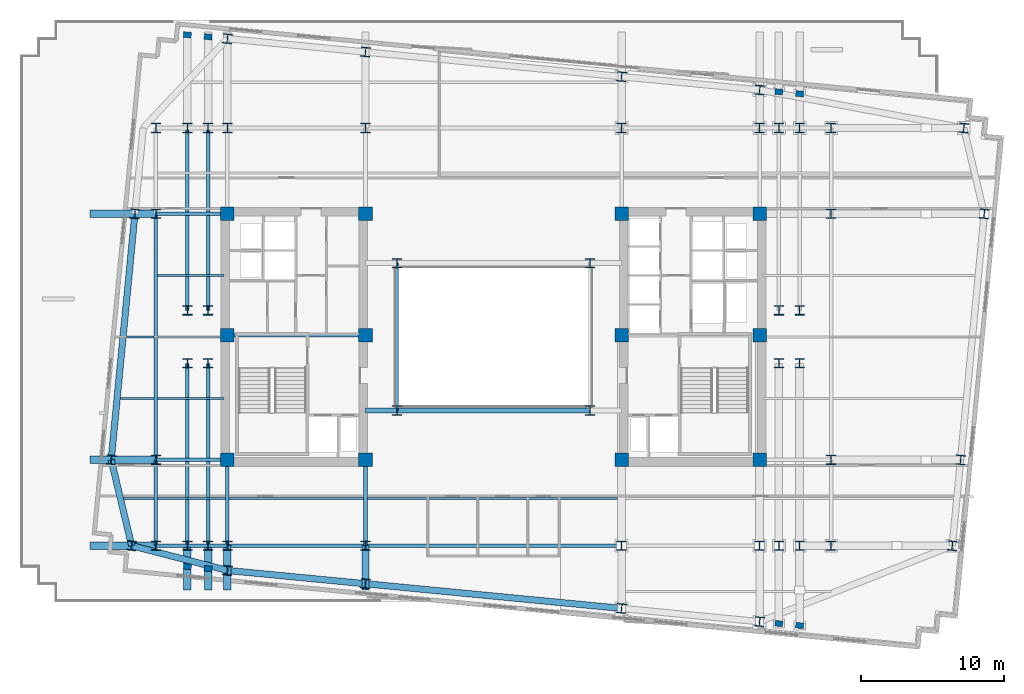
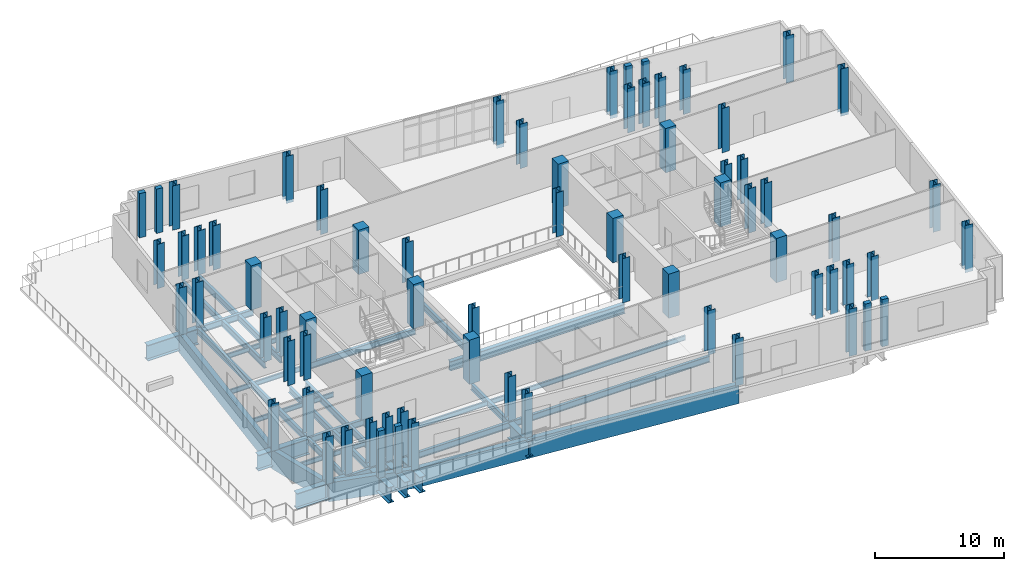
# One storey, part 1 of 11: 71 columns, 38 beams.
"""IFC4 building model written with IfcOpenShell, lengths in metres."""

from ifc_helpers import new_model, si_unit, direction, frame, origin, origin_2d, place, context, subcontext, project, spatial, rectangle, i_section, extrude, material, material_profile, profile_set, type_object, element, save


model = new_model("IFC4")

# Units and contexts
model_context = context("Model", 3, precision=1e-05, world=origin(), true_north=direction((0.0, 1.0)))
body_context = subcontext(model_context, "Body", "Model", "MODEL_VIEW")
ifc_project = project(units=[si_unit("LENGTHUNIT", "METRE"), si_unit("AREAUNIT", "SQUARE_METRE"), si_unit("VOLUMEUNIT", "CUBIC_METRE"), si_unit("PLANEANGLEUNIT", "RADIAN"), si_unit("MASSUNIT", "GRAM", prefix="KILO")], contexts=[model_context])

# Site, building, storey
site_placement = place(None, origin())
site = spatial("IfcSite", under=ifc_project, at=site_placement, CompositionType="ELEMENT")
building_placement = place(site_placement, origin())
building = spatial("IfcBuilding", under=site, at=building_placement, Name="Velakula Bourse", CompositionType="ELEMENT")
storey_placement = place(building_placement, frame((0.0, 0.0, 156.199951171875)))
storey = spatial("IfcBuildingStorey", under=building, at=storey_placement, Name="L42", CompositionType="ELEMENT", Elevation=156.199951171875)

# Columns
ifc_material_1 = material(Name="Concrete M70 (fck 70 MPa)", Category="concrete")
ifc_material_profile_1 = material_profile(ifc_material_1, rectangle(XDim=0.949951171875, YDim=0.949951171875, at=origin_2d()), Name="Concrete M70 (fck 70 MPa)")
ifc_profile_set_1 = profile_set([ifc_material_profile_1], Name="Concrete M70 (fck 70 MPa)")
column_type_1 = type_object("IfcColumnType", Name="COL-RC-950", PredefinedType="COLUMN", material=ifc_profile_set_1)
for number, where, z_axis, x_axis, name in (
    (1, (-8.949951171875, -8.60009765625, 0.0), (0.0, 0.0, 1.0), (1.0, 0.0, 0.0), "L42 Core Boundary Column 01"),
    (2, (-8.949951171875, 0.10009765625, 0.0), (0.0, 0.0, 1.0), (1.0, 0.0, 0.0), "L42 Core Boundary Column 02"),
    (3, (-8.949951171875, 8.60009765625, 0.0), (0.0, 0.0, 1.0), (1.0, 0.0, 0.0), "L42 Core Boundary Column 03"),
    (4, (-18.60009765625, -8.60009765625, 0.0), (0.0, 0.0, 1.0), (1.0, 0.0, 0.0), "L42 Core Boundary Column 04"),
    (5, (-18.60009765625, 0.10009765625, 0.0), (0.0, 0.0, 1.0), (1.0, 0.0, 0.0), "L42 Core Boundary Column 05"),
    (6, (-18.60009765625, 8.60009765625, 0.0), (0.0, 0.0, 1.0), (1.0, 0.0, 0.0), "L42 Core Boundary Column 06"),
    (7, (8.949951171875, -8.60009765625, 0.0), (0.0, 0.0, 1.0), (1.0, 0.0, 0.0), "L42 Core Boundary Column 07"),
    (8, (8.949951171875, 0.10009765625, 0.0), (0.0, 0.0, 1.0), (1.0, 0.0, 0.0), "L42 Core Boundary Column 08"),
    (9, (8.949951171875, 8.60009765625, 0.0), (0.0, 0.0, 1.0), (1.0, 0.0, 0.0), "L42 Core Boundary Column 09"),
    (10, (18.60009765625, -8.60009765625, 0.0), (0.0, 0.0, 1.0), (1.0, 0.0, 0.0), "L42 Core Boundary Column 10"),
    (11, (18.60009765625, 0.10009765625, 0.0), (0.0, 0.0, 1.0), (1.0, 0.0, 0.0), "L42 Core Boundary Column 11"),
    (12, (18.60009765625, 8.60009765625, 0.0), (0.0, 0.0, 1.0), (1.0, 0.0, 0.0), "L42 Core Boundary Column 12"),
):
    element("IfcColumn", number, at=place(storey_placement, frame(where, z_axis=z_axis, x_axis=x_axis)), inside=storey, type_object=column_type_1, Name=name, PredefinedType="COLUMN", context=body_context, shape_type="SweptSolid", body=[
        extrude(rectangle(XDim=0.949951171875, YDim=0.949951171875, at=origin_2d()), origin(), (0.0, 0.0, 1.0), 4.199951171875),
    ])
ifc_material_2 = material(Name="Steel IS 2062 Grade 350 (E350)", Category="steel")
ifc_material_profile_2 = material_profile(ifc_material_2, i_section(OverallWidth=0.64990234375, OverallDepth=0.64990234375, WebThickness=0.028076171875, FlangeThickness=0.0400390625, at=origin_2d()), Name="Steel IS 2062 Grade 350 (E350)")
ifc_profile_set_2 = profile_set([ifc_material_profile_2], Name="Steel IS 2062 Grade 350 (E350)")
column_type_2 = type_object("IfcColumnType", Name="COL-STL-650", PredefinedType="COLUMN", material=ifc_profile_set_2)
for number, where, z_axis, x_axis, name in (
    (13, (-6.75, -5.14990234375, 0.0), (0.0, 0.0, 1.0), (1.0, 0.0, 0.0), "L42 Central Spine Column 01"),
    (14, (-6.75, 5.14990234375, 0.0), (0.0, 0.0, 1.0), (1.0, 0.0, 0.0), "L42 Central Spine Column 02"),
    (15, (6.75, -5.14990234375, 0.0), (0.0, 0.0, 1.0), (1.0, 0.0, 0.0), "L42 Central Spine Column 03"),
    (16, (6.75, 5.14990234375, 0.0), (0.0, 0.0, 1.0), (1.0, 0.0, 0.0), "L42 Central Spine Column 04"),
    (17, (-21.39990234375, -14.60009765625, 0.0), (0.0, 0.0, 1.0), (1.0, 0.0, 0.0), "L42 Tower Fulcrum Column 01"),
    (18, (-21.39990234375, 14.60009765625, 0.0), (0.0, 0.0, 1.0), (1.0, 0.0, 0.0), "L42 Tower Fulcrum Column 02"),
    (19, (-19.949951171875, -14.60009765625, 0.0), (0.0, 0.0, 1.0), (1.0, 0.0, 0.0), "L42 Tower Fulcrum Column 03"),
    (20, (-19.949951171875, 14.60009765625, 0.0), (0.0, 0.0, 1.0), (1.0, 0.0, 0.0), "L42 Tower Fulcrum Column 04"),
    (21, (-18.60009765625, -14.60009765625, 0.0), (0.0, 0.0, 1.0), (1.0, 0.0, 0.0), "L42 Tower Fulcrum Column 05"),
    (22, (-18.60009765625, 14.60009765625, 0.0), (0.0, 0.0, 1.0), (1.0, 0.0, 0.0), "L42 Tower Fulcrum Column 06"),
    (23, (-8.949951171875, -14.60009765625, 0.0), (0.0, 0.0, 1.0), (1.0, 0.0, 0.0), "L42 Tower Fulcrum Column 07"),
    (24, (-8.949951171875, 14.60009765625, 0.0), (0.0, 0.0, 1.0), (1.0, 0.0, 0.0), "L42 Tower Fulcrum Column 08"),
    (25, (8.949951171875, -14.60009765625, 0.0), (0.0, 0.0, 1.0), (1.0, 0.0, 0.0), "L42 Tower Fulcrum Column 09"),
    (26, (8.949951171875, 14.60009765625, 0.0), (0.0, 0.0, 1.0), (1.0, 0.0, 0.0), "L42 Tower Fulcrum Column 10"),
    (27, (18.60009765625, -14.60009765625, 0.0), (0.0, 0.0, 1.0), (1.0, 0.0, 0.0), "L42 Tower Fulcrum Column 11"),
    (28, (18.60009765625, 14.60009765625, 0.0), (0.0, 0.0, 1.0), (1.0, 0.0, 0.0), "L42 Tower Fulcrum Column 12"),
    (29, (19.949951171875, -14.60009765625, 0.0), (0.0, 0.0, 1.0), (1.0, 0.0, 0.0), "L42 Tower Fulcrum Column 13"),
    (30, (19.949951171875, 14.60009765625, 0.0), (0.0, 0.0, 1.0), (1.0, 0.0, 0.0), "L42 Tower Fulcrum Column 14"),
    (31, (21.39990234375, -14.60009765625, 0.0), (0.0, 0.0, 1.0), (1.0, 0.0, 0.0), "L42 Tower Fulcrum Column 15"),
    (32, (21.39990234375, 14.60009765625, 0.0), (0.0, 0.0, 1.0), (1.0, 0.0, 0.0), "L42 Tower Fulcrum Column 16"),
    (33, (-21.39990234375, -1.85009765625, 0.0), (0.0, 0.0, 1.0), (1.0, 0.0, 0.0), "L42 Tower Fulcrum Column 17"),
    (34, (-21.39990234375, 1.85009765625, 0.0), (0.0, 0.0, 1.0), (1.0, 0.0, 0.0), "L42 Tower Fulcrum Column 18"),
    (35, (-19.949951171875, -1.85009765625, 0.0), (0.0, 0.0, 1.0), (1.0, 0.0, 0.0), "L42 Tower Fulcrum Column 19"),
    (36, (-19.949951171875, 1.85009765625, 0.0), (0.0, 0.0, 1.0), (1.0, 0.0, 0.0), "L42 Tower Fulcrum Column 20"),
    (37, (19.949951171875, -1.85009765625, 0.0), (0.0, 0.0, 1.0), (1.0, 0.0, 0.0), "L42 Tower Fulcrum Column 21"),
    (38, (19.949951171875, 1.85009765625, 0.0), (0.0, 0.0, 1.0), (1.0, 0.0, 0.0), "L42 Tower Fulcrum Column 22"),
    (39, (21.39990234375, -1.85009765625, 0.0), (0.0, 0.0, 1.0), (1.0, 0.0, 0.0), "L42 Tower Fulcrum Column 23"),
    (40, (21.39990234375, 1.85009765625, 0.0), (0.0, 0.0, 1.0), (1.0, 0.0, 0.0), "L42 Tower Fulcrum Column 24"),
    (41, (-23.60009765625, -14.60009765625, 0.0), (0.0, 0.0, 1.0), (1.0, 0.0, 0.0), "L42 Mid-Wing Plumb Column 01"),
    (42, (-23.60009765625, -8.60009765625, 0.0), (0.0, 0.0, 1.0), (1.0, 0.0, 0.0), "L42 Mid-Wing Plumb Column 02"),
    (43, (-23.60009765625, 8.60009765625, 0.0), (0.0, 0.0, 1.0), (1.0, 0.0, 0.0), "L42 Mid-Wing Plumb Column 03"),
    (44, (-23.60009765625, 14.60009765625, 0.0), (0.0, 0.0, 1.0), (1.0, 0.0, 0.0), "L42 Mid-Wing Plumb Column 04"),
    (45, (23.60009765625, -14.60009765625, 0.0), (0.0, 0.0, 1.0), (1.0, 0.0, 0.0), "L42 Mid-Wing Plumb Column 05"),
    (46, (23.60009765625, -8.60009765625, 0.0), (0.0, 0.0, 1.0), (1.0, 0.0, 0.0), "L42 Mid-Wing Plumb Column 06"),
    (47, (23.60009765625, 8.60009765625, 0.0), (0.0, 0.0, 1.0), (1.0, 0.0, 0.0), "L42 Mid-Wing Plumb Column 07"),
    (48, (23.60009765625, 14.60009765625, 0.0), (0.0, 0.0, 1.0), (1.0, 0.0, 0.0), "L42 Mid-Wing Plumb Column 08"),
):
    element("IfcColumn", number, at=place(storey_placement, frame(where, z_axis=z_axis, x_axis=x_axis)), inside=storey, type_object=column_type_2, Name=name, PredefinedType="COLUMN", context=body_context, shape_type="SweptSolid", body=[
        extrude(i_section(OverallWidth=0.64990234375, OverallDepth=0.64990234375, WebThickness=0.028076171875, FlangeThickness=0.0400390625, at=origin_2d()), origin(), (0.0, 0.0, 1.0), 4.199951171875),
    ])
column_1_placement = place(storey_placement, frame((-18.60009765625, -16.32861328125, -0.280029296875), z_axis=(0.0, 0.0, 1.0), x_axis=(0.995396198367, -0.09584575252, 0.0)))
element("IfcColumn", 49, at=column_1_placement, inside=storey, type_object=column_type_2, Name="L42 Block B4 Perimeter Column S1", PredefinedType="COLUMN", context=body_context, shape_type="SweptSolid", body=[
    extrude(i_section(OverallWidth=0.64990234375, OverallDepth=0.64990234375, WebThickness=0.028076171875, FlangeThickness=0.0400390625, at=origin_2d()), origin(), (0.0, 0.0, 1.0), 4.47998046875),
])
column_2_placement = place(storey_placement, frame((-8.949951171875, -17.2578125, 0.0), z_axis=(0.0, 0.0, 1.0), x_axis=(0.995396198367, -0.09584575252, 0.0)))
element("IfcColumn", 50, at=column_2_placement, inside=storey, type_object=column_type_2, Name="L42 Block B4 Perimeter Column S2", PredefinedType="COLUMN", context=body_context, shape_type="SweptSolid", body=[
    extrude(i_section(OverallWidth=0.64990234375, OverallDepth=0.64990234375, WebThickness=0.028076171875, FlangeThickness=0.0400390625, at=origin_2d()), origin(), (0.0, 0.0, 1.0), 4.199951171875),
])
for number, where, z_axis, x_axis, name in (
    (51, (8.949951171875, -18.9814453125, -0.280029296875), (0.0, 0.0, 1.0), (0.995396198367, -0.09584575252, 0.0), "L42 Block B4 Perimeter Column S3"),
    (52, (18.60009765625, -19.91064453125, -0.280029296875), (0.0, 0.0, 1.0), (0.995396198367, -0.09584575252, 0.0), "L42 Block B4 Perimeter Column S4"),
):
    element("IfcColumn", number, at=place(storey_placement, frame(where, z_axis=z_axis, x_axis=x_axis)), inside=storey, type_object=column_type_2, Name=name, PredefinedType="COLUMN", context=body_context, shape_type="SweptSolid", body=[
        extrude(i_section(OverallWidth=0.64990234375, OverallDepth=0.64990234375, WebThickness=0.028076171875, FlangeThickness=0.0400390625, at=origin_2d()), origin(), (0.0, 0.0, 1.0), 4.47998046875),
    ])
column_3_placement = place(storey_placement, frame((-18.60009765625, 20.84228515625, 0.0), z_axis=(0.0, 0.0, 1.0), x_axis=(0.995396198367, -0.09584575252, 0.0)))
element("IfcColumn", 53, at=column_3_placement, inside=storey, type_object=column_type_2, Name="L42 Block B4 Perimeter Column N1", PredefinedType="COLUMN", context=body_context, shape_type="SweptSolid", body=[
    extrude(i_section(OverallWidth=0.64990234375, OverallDepth=0.64990234375, WebThickness=0.028076171875, FlangeThickness=0.0400390625, at=origin_2d()), origin(), (0.0, 0.0, 1.0), 4.199951171875),
])
for number, where, z_axis, x_axis, name in (
    (54, (-8.949951171875, 19.9130859375, -0.280029296875), (0.0, 0.0, 1.0), (0.995396198367, -0.09584575252, 0.0), "L42 Block B4 Perimeter Column N2"),
    (55, (8.949951171875, 18.189697265625, -0.280029296875), (0.0, 0.0, 1.0), (0.995396198367, -0.09584575252, 0.0), "L42 Block B4 Perimeter Column N3"),
    (56, (18.60009765625, 17.260498046875, -0.280029296875), (0.0, 0.0, 1.0), (0.995396198367, -0.09584575252, 0.0), "L42 Block B4 Perimeter Column N4"),
    (57, (-25.29296875, -14.60009765625, -0.280029296875), (0.0, 0.0, 1.0), (0.995396198367, -0.09584575252, 0.0), "L42 Block B4 Perimeter Column W1"),
    (58, (-26.724365234375, -8.60009765625, -0.280029296875), (0.0, 0.0, 1.0), (0.995396198367, -0.09584575252, 0.0), "L42 Block B4 Perimeter Column W2"),
    (59, (-25.068115234375, 8.60009765625, -0.280029296875), (0.0, 0.0, 1.0), (0.995396198367, -0.09584575252, 0.0), "L42 Block B4 Perimeter Column W3"),
    (60, (32.0712890625, -14.60009765625, -0.280029296875), (0.0, 0.0, 1.0), (0.995396198367, -0.09584575252, 0.0), "L42 Block B4 Perimeter Column E1"),
    (61, (32.64892578125, -8.60009765625, -0.280029296875), (0.0, 0.0, 1.0), (0.995396198367, -0.09584575252, 0.0), "L42 Block B4 Perimeter Column E2"),
    (62, (34.30517578125, 8.60009765625, -0.280029296875), (0.0, 0.0, 1.0), (0.995396198367, -0.09584575252, 0.0), "L42 Block B4 Perimeter Column E3"),
    (63, (32.87353515625, 14.60009765625, -0.280029296875), (0.0, 0.0, 1.0), (0.995396198367, -0.09584575252, 0.0), "L42 Block B4 Perimeter Column E4"),
):
    element("IfcColumn", number, at=place(storey_placement, frame(where, z_axis=z_axis, x_axis=x_axis)), inside=storey, type_object=column_type_2, Name=name, PredefinedType="COLUMN", context=body_context, shape_type="SweptSolid", body=[
        extrude(i_section(OverallWidth=0.64990234375, OverallDepth=0.64990234375, WebThickness=0.028076171875, FlangeThickness=0.0400390625, at=origin_2d()), origin(), (0.0, 0.0, 1.0), 4.47998046875),
    ])
ifc_material_3 = material(Name="Precast concrete M45 (fck 45 MPa)", Category="concrete")
ifc_material_profile_3 = material_profile(ifc_material_3, rectangle(XDim=0.550048828125, YDim=0.39990234375, at=origin_2d()), Name="Precast concrete M45 (fck 45 MPa)")
ifc_profile_set_3 = profile_set([ifc_material_profile_3], Name="Precast concrete M45 (fck 45 MPa)")
column_type_3 = type_object("IfcColumnType", Name="PIL-BRICK-550", PredefinedType="PILASTER", material=ifc_profile_set_3)
for number, where, z_axis, x_axis, name in (
    (64, (-21.39990234375, -16.05908203125, -0.280029296875), (0.0, 0.0, 1.0), (0.995396198367, -0.09584575252, 0.0), "L42 Brick Pier Pilaster 01"),
    (65, (-19.949951171875, -16.19873046875, -0.280029296875), (0.0, 0.0, 1.0), (0.995396198367, -0.09584575252, 0.0), "L42 Brick Pier Pilaster 02"),
    (66, (19.949951171875, -20.04052734375, -0.280029296875), (0.0, 0.0, 1.0), (0.995396198367, -0.09584575252, 0.0), "L42 Brick Pier Pilaster 03"),
    (67, (21.39990234375, -20.180419921875, -0.280029296875), (0.0, 0.0, 1.0), (0.995396198367, -0.09584575252, 0.0), "L42 Brick Pier Pilaster 04"),
):
    element("IfcColumn", number, at=place(storey_placement, frame(where, z_axis=z_axis, x_axis=x_axis)), inside=storey, type_object=column_type_3, Name=name, PredefinedType="PILASTER", context=body_context, shape_type="SweptSolid", body=[
        extrude(rectangle(XDim=0.550048828125, YDim=0.39990234375, at=origin_2d()), origin(), (0.0, 0.0, 1.0), 4.47998046875),
    ])
for number, where, z_axis, x_axis, name in (
    (68, (-21.39990234375, 21.112060546875, 0.0), (0.0, 0.0, 1.0), (0.995396198367, -0.09584575252, 0.0), "L42 Brick Pier Pilaster 05"),
    (69, (-19.949951171875, 20.972412109375, 0.0), (0.0, 0.0, 1.0), (0.995396198367, -0.09584575252, 0.0), "L42 Brick Pier Pilaster 06"),
):
    element("IfcColumn", number, at=place(storey_placement, frame(where, z_axis=z_axis, x_axis=x_axis)), inside=storey, type_object=column_type_3, Name=name, PredefinedType="PILASTER", context=body_context, shape_type="SweptSolid", body=[
        extrude(rectangle(XDim=0.550048828125, YDim=0.39990234375, at=origin_2d()), origin(), (0.0, 0.0, 1.0), 4.199951171875),
    ])
for number, where, z_axis, x_axis, name in (
    (70, (19.949951171875, 17.130615234375, -0.280029296875), (0.0, 0.0, 1.0), (0.995396198367, -0.09584575252, 0.0), "L42 Brick Pier Pilaster 07"),
    (71, (21.39990234375, 16.990966796875, -0.280029296875), (0.0, 0.0, 1.0), (0.995396198367, -0.09584575252, 0.0), "L42 Brick Pier Pilaster 08"),
):
    element("IfcColumn", number, at=place(storey_placement, frame(where, z_axis=z_axis, x_axis=x_axis)), inside=storey, type_object=column_type_3, Name=name, PredefinedType="PILASTER", context=body_context, shape_type="SweptSolid", body=[
        extrude(rectangle(XDim=0.550048828125, YDim=0.39990234375, at=origin_2d()), origin(), (0.0, 0.0, 1.0), 4.47998046875),
    ])

# Beams
ifc_material_profile_4 = material_profile(ifc_material_2, i_section(OverallWidth=0.25, OverallDepth=0.60009765625, WebThickness=0.01123046875, FlangeThickness=0.021240234375, at=origin_2d()), Name="Steel IS 2062 Grade 350 (E350)")
ifc_profile_set_4 = profile_set([ifc_material_profile_4], Name="Steel IS 2062 Grade 350 (E350)")
beam_type_1 = type_object("IfcBeamType", Name="BM-GRD-600M", PredefinedType="BEAM", material=ifc_profile_set_4)
beam_1_placement = place(storey_placement, frame((-18.60009765625, 0.10009765625, -0.579833984375), z_axis=(1.0, 0.0, 0.0), x_axis=(0.0, 1.0, 0.0)))
element("IfcBeam", 72, at=beam_1_placement, inside=storey, type_object=beam_type_1, Name="L42 Primary Backbone Girder CRW-M", PredefinedType="BEAM", context=body_context, shape_type="SweptSolid", body=[
    extrude(i_section(OverallWidth=0.25, OverallDepth=0.60009765625, WebThickness=0.01123046875, FlangeThickness=0.021240234375, at=origin_2d()), origin(), (0.0, 0.0, 1.0), 9.650146484375),
])
beam_2_placement = place(storey_placement, frame((-6.75, -5.14990234375, -0.579833984375), z_axis=(0.0, 1.0, 0.0), x_axis=(-1.0, 0.0, 0.0)))
element("IfcBeam", 73, at=beam_2_placement, inside=storey, type_object=beam_type_1, Name="L42 Primary Backbone Girder SPN-W", PredefinedType="BEAM", context=body_context, shape_type="SweptSolid", body=[
    extrude(i_section(OverallWidth=0.25, OverallDepth=0.60009765625, WebThickness=0.01123046875, FlangeThickness=0.021240234375, at=origin_2d()), origin(), (0.0, 0.0, 1.0), 10.2998046875),
])
for number, where, z_axis, x_axis, name in (
    (74, (-18.60009765625, -14.60009765625, -0.579833984375), (0.0, 1.0, 0.0), (-1.0, 0.0, 0.0), "L42 Fulcrum Grid Girder FLC-WS"),
    (75, (-8.949951171875, -14.60009765625, -0.579833984375), (0.0, 1.0, 0.0), (-1.0, 0.0, 0.0), "L42 Fulcrum Grid Girder FLC-WCS"),
):
    element("IfcBeam", number, at=place(storey_placement, frame(where, z_axis=z_axis, x_axis=x_axis)), inside=storey, type_object=beam_type_1, Name=name, PredefinedType="BEAM", context=body_context, shape_type="SweptSolid", body=[
        extrude(i_section(OverallWidth=0.25, OverallDepth=0.60009765625, WebThickness=0.01123046875, FlangeThickness=0.021240234375, at=origin_2d()), origin(), (0.0, 0.0, 1.0), 6.0),
    ])
beam_3_placement = place(storey_placement, frame((-18.60009765625, -14.60009765625, -0.579833984375), z_axis=(1.0, 0.0, 0.0), x_axis=(0.0, 1.0, 0.0)))
element("IfcBeam", 76, at=beam_3_placement, inside=storey, type_object=beam_type_1, Name="L42 Fulcrum Grid Girder FLC-S1", PredefinedType="BEAM", context=body_context, shape_type="SweptSolid", body=[
    extrude(i_section(OverallWidth=0.25, OverallDepth=0.60009765625, WebThickness=0.01123046875, FlangeThickness=0.021240234375, at=origin_2d()), origin(), (0.0, 0.0, 1.0), 9.650146484375),
])
beam_4_placement = place(storey_placement, frame((-8.949951171875, -14.60009765625, -0.579833984375), z_axis=(1.0, 0.0, 0.0), x_axis=(0.0, 1.0, 0.0)))
element("IfcBeam", 77, at=beam_4_placement, inside=storey, type_object=beam_type_1, Name="L42 Fulcrum Grid Girder FLC-S2", PredefinedType="BEAM", context=body_context, shape_type="SweptSolid", body=[
    extrude(i_section(OverallWidth=0.25, OverallDepth=0.60009765625, WebThickness=0.01123046875, FlangeThickness=0.021240234375, at=origin_2d()), origin(), (0.0, 0.0, 1.0), 17.89990234375),
])
for number, where, z_axis, x_axis, name in (
    (78, (-21.39990234375, -14.60009765625, -0.579833984375), (0.0, 1.0, 0.0), (-1.0, 0.0, 0.0), "L42 Fulcrum Grid Girder FLC-PSW1"),
    (79, (-21.39990234375, 1.85009765625, -0.579833984375), (0.0, 1.0, 0.0), (-1.0, 0.0, 0.0), "L42 Fulcrum Grid Girder FLC-PNW1"),
    (80, (-19.949951171875, -14.60009765625, -0.579833984375), (0.0, 1.0, 0.0), (-1.0, 0.0, 0.0), "L42 Fulcrum Grid Girder FLC-PSW2"),
    (81, (-19.949951171875, 1.85009765625, -0.579833984375), (0.0, 1.0, 0.0), (-1.0, 0.0, 0.0), "L42 Fulcrum Grid Girder FLC-PNW2"),
):
    element("IfcBeam", number, at=place(storey_placement, frame(where, z_axis=z_axis, x_axis=x_axis)), inside=storey, type_object=beam_type_1, Name=name, PredefinedType="BEAM", context=body_context, shape_type="SweptSolid", body=[
        extrude(i_section(OverallWidth=0.25, OverallDepth=0.60009765625, WebThickness=0.01123046875, FlangeThickness=0.021240234375, at=origin_2d()), origin(), (0.0, 0.0, 1.0), 12.75),
    ])
for number, where, z_axis, x_axis, name in (
    (82, (-23.60009765625, -14.60009765625, -0.579833984375), (1.0, 0.0, 0.0), (0.0, 1.0, 0.0), "L42 Fulcrum Grid Girder MWG-WS1"),
    (83, (-23.60009765625, -8.60009765625, -0.579833984375), (1.0, 0.0, 0.0), (0.0, 1.0, 0.0), "L42 Fulcrum Grid Girder MWG-WS2"),
    (84, (-23.60009765625, 8.60009765625, -0.579833984375), (1.0, 0.0, 0.0), (0.0, 1.0, 0.0), "L42 Fulcrum Grid Girder MWG-WN1"),
):
    element("IfcBeam", number, at=place(storey_placement, frame(where, z_axis=z_axis, x_axis=x_axis)), inside=storey, type_object=beam_type_1, Name=name, PredefinedType="BEAM", context=body_context, shape_type="SweptSolid", body=[
        extrude(i_section(OverallWidth=0.25, OverallDepth=0.60009765625, WebThickness=0.01123046875, FlangeThickness=0.021240234375, at=origin_2d()), origin(), (0.0, 0.0, 1.0), 5.0),
    ])
beam_5_placement = place(storey_placement, frame((-23.60009765625, -14.60009765625, -0.579833984375), z_axis=(0.0, 1.0, 0.0), x_axis=(-1.0, 0.0, 0.0)))
element("IfcBeam", 85, at=beam_5_placement, inside=storey, type_object=beam_type_1, Name="L42 Fulcrum Grid Girder MWG-WNS1", PredefinedType="BEAM", context=body_context, shape_type="SweptSolid", body=[
    extrude(i_section(OverallWidth=0.25, OverallDepth=0.60009765625, WebThickness=0.01123046875, FlangeThickness=0.021240234375, at=origin_2d()), origin(), (0.0, 0.0, 1.0), 6.0),
])
beam_6_placement = place(storey_placement, frame((-23.60009765625, -8.60009765625, -0.579833984375), z_axis=(0.0, 1.0, 0.0), x_axis=(-1.0, 0.0, 0.0)))
element("IfcBeam", 86, at=beam_6_placement, inside=storey, type_object=beam_type_1, Name="L42 Fulcrum Grid Girder MWG-WNS2", PredefinedType="BEAM", context=body_context, shape_type="SweptSolid", body=[
    extrude(i_section(OverallWidth=0.25, OverallDepth=0.60009765625, WebThickness=0.01123046875, FlangeThickness=0.021240234375, at=origin_2d()), origin(), (0.0, 0.0, 1.0), 17.2001953125),
])
ifc_material_profile_5 = material_profile(ifc_material_2, i_section(OverallWidth=0.35009765625, OverallDepth=0.89990234375, WebThickness=0.02001953125, FlangeThickness=0.031982421875, at=origin_2d()), Name="Steel IS 2062 Grade 350 (E350)")
ifc_profile_set_5 = profile_set([ifc_material_profile_5], Name="Steel IS 2062 Grade 350 (E350)")
beam_type_2 = type_object("IfcBeamType", Name="BM-LNK-900", PredefinedType="BEAM", material=ifc_profile_set_5)
beam_7_placement = place(storey_placement, frame((-8.949951171875, -5.14990234375, -0.72998046875), z_axis=(1.0, 0.0, 0.0), x_axis=(0.0, 1.0, 0.0)))
element("IfcBeam", 87, at=beam_7_placement, inside=storey, type_object=beam_type_2, Name="L42 Primary Backbone Girder LNK-S1", PredefinedType="BEAM", context=body_context, shape_type="SweptSolid", body=[
    extrude(i_section(OverallWidth=0.35009765625, OverallDepth=0.89990234375, WebThickness=0.02001953125, FlangeThickness=0.031982421875, at=origin_2d()), origin(), (0.0, 0.0, 1.0), 2.199951171875),
])
beam_8_placement = place(storey_placement, frame((-6.75, -5.14990234375, -0.72998046875), z_axis=(1.0, 0.0, 0.0), x_axis=(0.0, 1.0, 0.0)))
element("IfcBeam", 88, at=beam_8_placement, inside=storey, type_object=beam_type_2, Name="L42 Primary Backbone Girder LNK-S2", PredefinedType="BEAM", context=body_context, shape_type="SweptSolid", body=[
    extrude(i_section(OverallWidth=0.35009765625, OverallDepth=0.89990234375, WebThickness=0.02001953125, FlangeThickness=0.031982421875, at=origin_2d()), origin(), (0.0, 0.0, 1.0), 13.5),
])
ifc_material_profile_6 = material_profile(ifc_material_2, i_section(OverallWidth=0.14990234375, OverallDepth=0.449951171875, WebThickness=0.009521484375, FlangeThickness=0.017333984375, at=origin_2d()), Name="Steel IS 2062 Grade 350 (E350)")
ifc_profile_set_6 = profile_set([ifc_material_profile_6], Name="Steel IS 2062 Grade 350 (E350)")
beam_type_3 = type_object("IfcBeamType", Name="JST-TWR-450", PredefinedType="JOIST", material=ifc_profile_set_6)
beam_9_placement = place(storey_placement, frame((-25.848876953125, -11.300048828125, -0.5048828125), z_axis=(1.0, 0.0, 0.0), x_axis=(0.0, 1.0, 0.0)))
element("IfcBeam", 89, at=beam_9_placement, inside=storey, type_object=beam_type_3, Name="L42 Trading Floor Composite Joist 04", PredefinedType="JOIST", context=body_context, shape_type="SweptSolid", body=[
    extrude(i_section(OverallWidth=0.14990234375, OverallDepth=0.449951171875, WebThickness=0.009521484375, FlangeThickness=0.017333984375, at=origin_2d()), origin(), (0.0, 0.0, 1.0), 2.123779296875),
])
beam_10_placement = place(storey_placement, frame((-23.47509765625, -11.300048828125, -0.5048828125), z_axis=(1.0, 0.0, 0.0), x_axis=(0.0, 1.0, 0.0)))
element("IfcBeam", 90, at=beam_10_placement, inside=storey, type_object=beam_type_3, Name="L42 Trading Floor Composite Joist 05", PredefinedType="JOIST", context=body_context, shape_type="SweptSolid", body=[
    extrude(i_section(OverallWidth=0.14990234375, OverallDepth=0.449951171875, WebThickness=0.009521484375, FlangeThickness=0.017333984375, at=origin_2d()), origin(), (0.0, 0.0, 1.0), 4.75),
])
beam_11_placement = place(storey_placement, frame((-18.47509765625, -11.300048828125, -0.5048828125), z_axis=(1.0, 0.0, 0.0), x_axis=(0.0, 1.0, 0.0)))
element("IfcBeam", 91, at=beam_11_placement, inside=storey, type_object=beam_type_3, Name="L42 Trading Floor Composite Joist 06", PredefinedType="JOIST", context=body_context, shape_type="SweptSolid", body=[
    extrude(i_section(OverallWidth=0.14990234375, OverallDepth=0.449951171875, WebThickness=0.009521484375, FlangeThickness=0.017333984375, at=origin_2d()), origin(), (0.0, 0.0, 1.0), 9.400146484375),
])
beam_12_placement = place(storey_placement, frame((-8.824951171875, -11.300048828125, -0.5048828125), z_axis=(1.0, 0.0, 0.0), x_axis=(0.0, 1.0, 0.0)))
element("IfcBeam", 92, at=beam_12_placement, inside=storey, type_object=beam_type_3, Name="L42 Trading Floor Composite Joist 07", PredefinedType="JOIST", context=body_context, shape_type="SweptSolid", body=[
    extrude(i_section(OverallWidth=0.14990234375, OverallDepth=0.449951171875, WebThickness=0.009521484375, FlangeThickness=0.017333984375, at=origin_2d()), origin(), (0.0, 0.0, 1.0), 17.5),
])
beam_13_placement = place(storey_placement, frame((-26.084228515625, -4.300048828125, -0.5048828125), z_axis=(1.0, 0.0, 0.0), x_axis=(0.0, 1.0, 0.0)))
element("IfcBeam", 93, at=beam_13_placement, inside=storey, type_object=beam_type_3, Name="L42 Trading Floor Composite Joist 21", PredefinedType="JOIST", context=body_context, shape_type="SweptSolid", body=[
    extrude(i_section(OverallWidth=0.14990234375, OverallDepth=0.449951171875, WebThickness=0.009521484375, FlangeThickness=0.017333984375, at=origin_2d()), origin(), (0.0, 0.0, 1.0), 2.359130859375),
])
beam_14_placement = place(storey_placement, frame((-23.47509765625, -4.300048828125, -0.5048828125), z_axis=(1.0, 0.0, 0.0), x_axis=(0.0, 1.0, 0.0)))
element("IfcBeam", 94, at=beam_14_placement, inside=storey, type_object=beam_type_3, Name="L42 Trading Floor Composite Joist 22", PredefinedType="JOIST", context=body_context, shape_type="SweptSolid", body=[
    extrude(i_section(OverallWidth=0.14990234375, OverallDepth=0.449951171875, WebThickness=0.009521484375, FlangeThickness=0.017333984375, at=origin_2d()), origin(), (0.0, 0.0, 1.0), 4.625),
])
beam_15_placement = place(storey_placement, frame((-25.67041015625, 0.0, -0.5048828125), z_axis=(1.0, 0.0, 0.0), x_axis=(0.0, 1.0, 0.0)))
element("IfcBeam", 95, at=beam_15_placement, inside=storey, type_object=beam_type_3, Name="L42 Trading Floor Composite Joist 25", PredefinedType="JOIST", context=body_context, shape_type="SweptSolid", body=[
    extrude(i_section(OverallWidth=0.14990234375, OverallDepth=0.449951171875, WebThickness=0.009521484375, FlangeThickness=0.017333984375, at=origin_2d()), origin(), (0.0, 0.0, 1.0), 1.9453125),
])
for number, where, z_axis, x_axis, name in (
    (96, (-23.47509765625, 0.0, -0.5048828125), (1.0, 0.0, 0.0), (0.0, 1.0, 0.0), "L42 Trading Floor Composite Joist 26"),
    (97, (-23.47509765625, 4.300048828125, -0.5048828125), (1.0, 0.0, 0.0), (0.0, 1.0, 0.0), "L42 Trading Floor Composite Joist 29"),
):
    element("IfcBeam", number, at=place(storey_placement, frame(where, z_axis=z_axis, x_axis=x_axis)), inside=storey, type_object=beam_type_3, Name=name, PredefinedType="JOIST", context=body_context, shape_type="SweptSolid", body=[
        extrude(i_section(OverallWidth=0.14990234375, OverallDepth=0.449951171875, WebThickness=0.009521484375, FlangeThickness=0.017333984375, at=origin_2d()), origin(), (0.0, 0.0, 1.0), 4.625),
    ])
ifc_material_4 = material(Name="Concrete M50 (fck 50 MPa)", Category="concrete")
ifc_material_profile_7 = material_profile(ifc_material_4, rectangle(XDim=0.449951171875, YDim=1.800048828125, at=origin_2d()), Name="Concrete M50 (fck 50 MPa)")
ifc_profile_set_7 = profile_set([ifc_material_profile_7], Name="Concrete M50 (fck 50 MPa)")
beam_type_4 = type_object("IfcBeamType", Name="SPN-TRF-1800", PredefinedType="SPANDREL", material=ifc_profile_set_7)
beam_16_placement = place(storey_placement, frame((-18.60009765625, -16.32861328125, -1.179931640625), z_axis=(0.99539623971, -0.095845323155, 0.0), x_axis=(0.095845323155, 0.99539623971, 0.0)))
element("IfcBeam", 98, at=beam_16_placement, inside=storey, type_object=beam_type_4, Name="L42 Brick-Faced Precast Spandrel S1-S2", PredefinedType="SPANDREL", context=body_context, shape_type="SweptSolid", body=[
    extrude(rectangle(XDim=0.449951171875, YDim=1.800048828125, at=origin_2d()), origin(), (0.0, 0.0, 1.0), 9.69482421875),
])
beam_17_placement = place(storey_placement, frame((-8.949951171875, -17.2578125, -1.179931640625), z_axis=(0.995395836254, -0.095849513134, 0.0), x_axis=(0.095849513134, 0.995395836254, 0.0)))
element("IfcBeam", 99, at=beam_17_placement, inside=storey, type_object=beam_type_4, Name="L42 Brick-Faced Precast Spandrel S2-S3", PredefinedType="SPANDREL", context=body_context, shape_type="SweptSolid", body=[
    extrude(rectangle(XDim=0.449951171875, YDim=1.800048828125, at=origin_2d()), origin(), (0.0, 0.0, 1.0), 17.982666015625),
])
beam_18_placement = place(storey_placement, frame((-25.29296875, -14.60009765625, -1.179931640625), z_axis=(-0.232053924044, 0.97270292296, 0.0), x_axis=(-0.97270292296, -0.232053924044, 0.0)))
element("IfcBeam", 100, at=beam_18_placement, inside=storey, type_object=beam_type_4, Name="L42 Brick-Faced Precast Spandrel W1-W2", PredefinedType="SPANDREL", context=body_context, shape_type="SweptSolid", body=[
    extrude(rectangle(XDim=0.449951171875, YDim=1.800048828125, at=origin_2d()), origin(), (0.0, 0.0, 1.0), 6.16845703125),
])
beam_19_placement = place(storey_placement, frame((-26.724365234375, -8.60009765625, -1.179931640625), z_axis=(0.095849167925, 0.995395869495, 0.0), x_axis=(-0.995395869495, 0.095849167925, 0.0)))
element("IfcBeam", 101, at=beam_19_placement, inside=storey, type_object=beam_type_4, Name="L42 Brick-Faced Precast Spandrel W2-W3", PredefinedType="SPANDREL", context=body_context, shape_type="SweptSolid", body=[
    extrude(rectangle(XDim=0.449951171875, YDim=1.800048828125, at=origin_2d()), origin(), (0.0, 0.0, 1.0), 17.27978515625),
])
beam_20_placement = place(storey_placement, frame((-25.29296875, -14.60009765625, -1.179931640625), z_axis=(0.968230996313, -0.250057468954, 0.0), x_axis=(0.250057468954, 0.968230996313, 0.0)))
element("IfcBeam", 102, at=beam_20_placement, inside=storey, type_object=beam_type_4, Name="L42 Brick-Faced Precast Spandrel W1-S1", PredefinedType="SPANDREL", context=body_context, shape_type="SweptSolid", body=[
    extrude(rectangle(XDim=0.449951171875, YDim=1.800048828125, at=origin_2d()), origin(), (0.0, 0.0, 1.0), 6.912353515625),
])
ifc_material_5 = material(Name="Steel IS 2062 Grade 450 (E450)", Category="steel")
ifc_material_profile_8 = material_profile(ifc_material_5, i_section(OverallWidth=0.52001953125, OverallDepth=1.5, WebThickness=0.030029296875, FlangeThickness=0.048095703125, at=origin_2d()), Name="Steel IS 2062 Grade 450 (E450)")
ifc_profile_set_8 = profile_set([ifc_material_profile_8], Name="Steel IS 2062 Grade 450 (E450)")
beam_type_5 = type_object("IfcBeamType", Name="TB-CANT-1500", PredefinedType="BEAM", material=ifc_profile_set_8)
for number, where, z_axis, x_axis, name in (
    (103, (-18.60009765625, -17.699951171875, -1.030029296875), (0.0, 1.0, 0.0), (-1.0, 0.0, 0.0), "L42 Block B4 Transfer Girder S1"),
    (104, (-8.949951171875, -17.699951171875, -1.030029296875), (0.0, 1.0, 0.0), (-1.0, 0.0, 0.0), "L42 Block B4 Transfer Girder S2"),
):
    element("IfcBeam", number, at=place(storey_placement, frame(where, z_axis=z_axis, x_axis=x_axis)), inside=storey, type_object=beam_type_5, Name=name, PredefinedType="BEAM", context=body_context, shape_type="SweptSolid", body=[
        extrude(i_section(OverallWidth=0.52001953125, OverallDepth=1.5, WebThickness=0.030029296875, FlangeThickness=0.048095703125, at=origin_2d()), origin(), (0.0, 0.0, 1.0), 3.099853515625),
    ])
for number, where, z_axis, x_axis, name in (
    (105, (-28.199951171875, -14.60009765625, -1.030029296875), (1.0, 0.0, 0.0), (0.0, 1.0, 0.0), "L42 Block B4 Transfer Girder W1"),
    (106, (-28.199951171875, -8.60009765625, -1.030029296875), (1.0, 0.0, 0.0), (0.0, 1.0, 0.0), "L42 Block B4 Transfer Girder W2"),
    (107, (-28.199951171875, 8.60009765625, -1.030029296875), (1.0, 0.0, 0.0), (0.0, 1.0, 0.0), "L42 Block B4 Transfer Girder W3"),
):
    element("IfcBeam", number, at=place(storey_placement, frame(where, z_axis=z_axis, x_axis=x_axis)), inside=storey, type_object=beam_type_5, Name=name, PredefinedType="BEAM", context=body_context, shape_type="SweptSolid", body=[
        extrude(i_section(OverallWidth=0.52001953125, OverallDepth=1.5, WebThickness=0.030029296875, FlangeThickness=0.048095703125, at=origin_2d()), origin(), (0.0, 0.0, 1.0), 4.599853515625),
    ])
for number, where, z_axis, x_axis, name in (
    (108, (-21.39990234375, -17.699951171875, -1.030029296875), (0.0, 1.0, 0.0), (-1.0, 0.0, 0.0), "L42 Block B4 Transfer Girder P01"),
    (109, (-19.949951171875, -17.699951171875, -1.030029296875), (0.0, 1.0, 0.0), (-1.0, 0.0, 0.0), "L42 Block B4 Transfer Girder P02"),
):
    element("IfcBeam", number, at=place(storey_placement, frame(where, z_axis=z_axis, x_axis=x_axis)), inside=storey, type_object=beam_type_5, Name=name, PredefinedType="BEAM", context=body_context, shape_type="SweptSolid", body=[
        extrude(i_section(OverallWidth=0.52001953125, OverallDepth=1.5, WebThickness=0.030029296875, FlangeThickness=0.048095703125, at=origin_2d()), origin(), (0.0, 0.0, 1.0), 3.099853515625),
    ])

save(model, "model.ifc")
